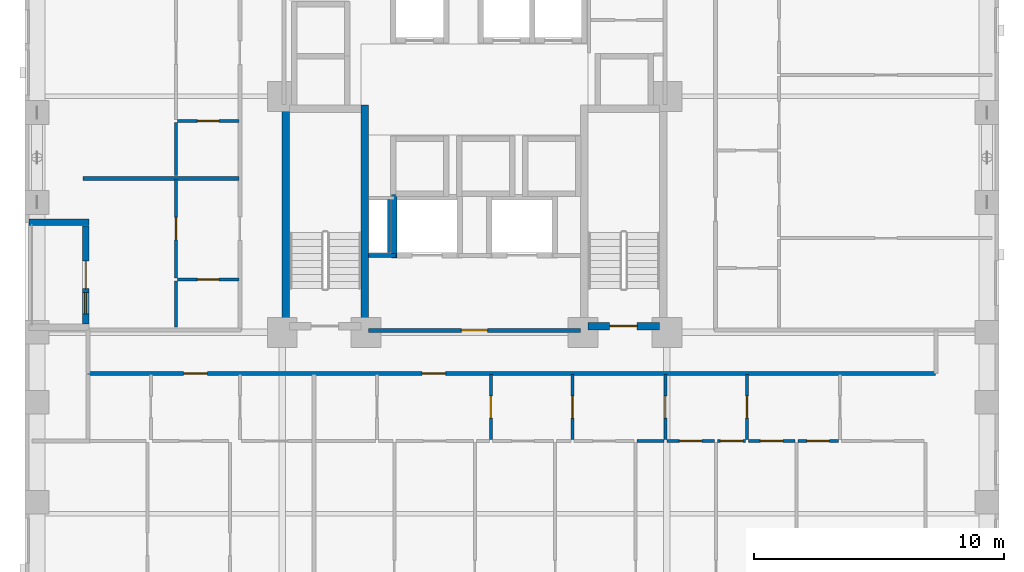
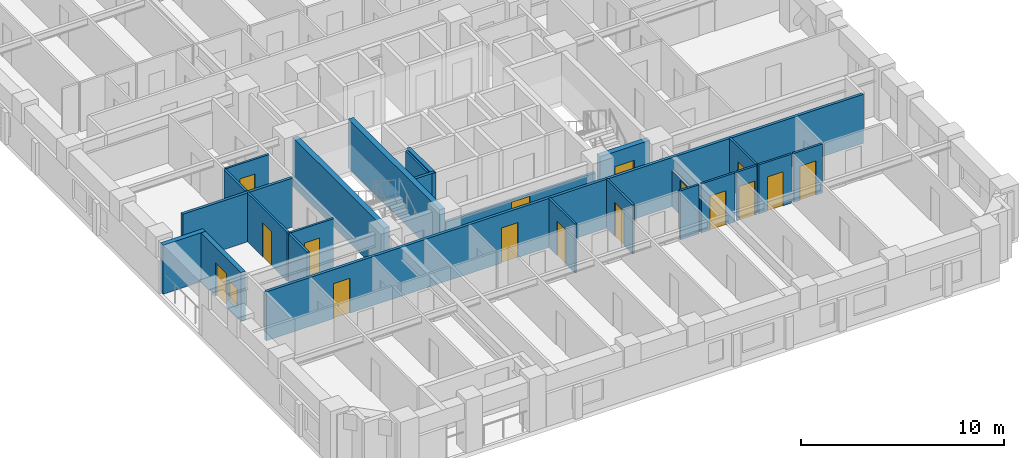
# One storey, part 4 of 14: 25 walls, 16 doors, 1 window, 17 openings.
"""IFC4 building model written with IfcOpenShell, lengths in metres."""

from ifc_helpers import new_model, si_unit, derived_unit, direction, frame, frame_2d, origin, place, context, subcontext, project, spatial, rectangle, extrude, material, layer, layer_set, type_object, element, fill, save


model = new_model("IFC4")

# Units and contexts
model_context = context("Model", 3, precision=1e-05, world=origin(), true_north=direction((0.0, 1.0)))
body_context = subcontext(model_context, "Body", "Model", "MODEL_VIEW")
ifc_project = project(units=[si_unit("LENGTHUNIT", "METRE"), si_unit("AREAUNIT", "SQUARE_METRE"), si_unit("VOLUMEUNIT", "CUBIC_METRE"), si_unit("PLANEANGLEUNIT", "RADIAN"), si_unit("MASSUNIT", "GRAM", prefix="KILO"), derived_unit("THERMALTRANSMITTANCEUNIT", [(si_unit("MASSUNIT", "GRAM", prefix="KILO"), 1), (si_unit("TIMEUNIT", "SECOND"), -3), (si_unit("THERMODYNAMICTEMPERATUREUNIT", "KELVIN"), -1)])], contexts=[model_context])

# Site, building, storey
site_placement = place(None, origin())
site = spatial("IfcSite", under=ifc_project, at=site_placement, CompositionType="ELEMENT")
building_placement = place(site_placement, origin())
building = spatial("IfcBuilding", under=site, at=building_placement, Name="Korrvale Station Residences", CompositionType="ELEMENT")
storey_placement = place(building_placement, frame((0.0, 0.0, 41.800048828125)))
storey = spatial("IfcBuildingStorey", under=building, at=storey_placement, Name="L10", CompositionType="ELEMENT", Elevation=41.800048828125)

# Walls
ifc_material_1 = material(Name="Concrete C70/85", Category="concrete")
ifc_layer_1 = layer(ifc_material_1, 0.300048828125, Name="Concrete C70/85")
ifc_layer_set_1 = layer_set([ifc_layer_1], Name="Concrete C70/85")
wall_type_1 = type_object("IfcWallType", Name="WAL-CORE-300-C70", PredefinedType="SHEAR", material=ifc_layer_set_1)
for number, where, z_axis, x_axis, name in (
    (1, (17.949951171875, 15.10009765625, 0.0), (0.0, 0.0, 1.0), (0.0, 1.0, 0.0), "L10 ST-1 Core Shear Wall West"),
    (2, (21.10009765625, 15.10009765625, 0.0), (0.0, 0.0, 1.0), (0.0, 1.0, 0.0), "L10 ST-1 Core Shear Wall East"),
):
    element("IfcWall", number, at=place(storey_placement, frame(where, z_axis=z_axis, x_axis=x_axis)), inside=storey, type_object=wall_type_1, Name=name, PredefinedType="SHEAR", context=body_context, shape_type="SweptSolid", body=[
        extrude(rectangle(XDim=9.0, YDim=0.300048828125, at=frame_2d((4.5, 0.0))), origin(), (0.0, 0.0, 1.0), 2.93994140625),
    ])

# Wall, opening, door
wall_1_placement = place(storey_placement, frame((30.050048828125, 15.25, 0.0), z_axis=(0.0, 0.0, 1.0), x_axis=(1.0, 0.0, 0.0)))
wall_1 = element("IfcWall", 3, at=wall_1_placement, inside=storey, type_object=wall_type_1, Name="L10 ST-2 Core Shear Wall South", PredefinedType="SHEAR", context=body_context, shape_type="SweptSolid", body=[
    extrude(rectangle(XDim=2.849853515625, YDim=0.300048828125, at=frame_2d((1.4248046875, 0.0))), origin(), (0.0, 0.0, 1.0), 2.93994140625),
])
opening_1_placement = place(wall_1_placement, frame((0.860107421875, 0.0, 0.0)))
opening_1 = element("IfcOpeningElement", 4, at=opening_1_placement, cuts=wall_1, Name="Opening SD-1100", PredefinedType="OPENING", context=body_context, shape_type="SweptSolid", body=[
    extrude(rectangle(XDim=1.10009765625, YDim=2.050048828125, at=frame_2d((0.550048828125, 1.02490234375))), frame((0.0, 0.16015625, 0.0), z_axis=(0.0, -1.0, 0.0), x_axis=(1.0, 0.0, 0.0)), (0.0, 0.0, 1.0), 0.320068359375),
])
ifc_material_2 = material(Name="Hollow-metal fire-rated stair door with closer", Category="steel")
door_type_1 = type_object("IfcDoorType", Name="DR-STAIR-1100", OperationType="NOTDEFINED", PredefinedType="DOOR", material=ifc_material_2)
door_1_placement = place(opening_1_placement, origin())
door_1 = element("IfcDoor", 5, at=door_1_placement, inside=storey, type_object=door_type_1, Name="L10 ST-2 Exit Stair Door", OperationType="SINGLE_SWING_RIGHT", OverallHeight=2.050048828125, OverallWidth=1.10009765625, PredefinedType="DOOR", context=body_context, shape_type="SweptSolid", body=[
    extrude(rectangle(XDim=1.10009765625, YDim=2.050048828125, at=frame_2d((0.550048828125, 1.02490234375))), frame((0.0, 0.02490234375, 0.0), z_axis=(0.0, -1.0, 0.0), x_axis=(1.0, 0.0, 0.0)), (0.0, 0.0, 1.0), 0.050048828125),
])
fill(opening_1, door_1)

# Wall, openings, door, window
ifc_material_3 = material(Name="Precast concrete C45/55", Category="concrete")
ifc_layer_2 = layer(ifc_material_3, 0.260009765625, Name="Precast concrete C45/55")
ifc_layer_set_2 = layer_set([ifc_layer_2], Name="Precast concrete C45/55")
wall_type_2 = type_object("IfcWallType", Name="WAL-EXT-LOG260", PredefinedType="SOLIDWALL", material=ifc_layer_set_2)
wall_2_placement = place(storey_placement, frame((9.929931640625, 15.333984375, 0.0), z_axis=(0.0, 0.0, 1.0), x_axis=(0.0, 1.0, 0.0)))
wall_2 = element("IfcWall", 6, at=wall_2_placement, inside=storey, type_object=wall_type_2, Name="L10 Recessed Loggia Wall BAL-L10-W1-B", PredefinedType="SOLIDWALL", context=body_context, shape_type="SweptSolid", body=[
    extrude(rectangle(XDim=3.93212890625, YDim=0.260009765625, at=frame_2d((1.966064453125, 0.0))), origin(), (0.0, 0.0, 1.0), 2.93994140625),
])
opening_2_placement = place(wall_2_placement, frame((1.416015625, 0.0, 0.0)))
opening_2 = element("IfcOpeningElement", 7, at=opening_2_placement, cuts=wall_2, Name="Opening BD-01", PredefinedType="OPENING", context=body_context, shape_type="SweptSolid", body=[
    extrude(rectangle(XDim=1.10009765625, YDim=2.0, at=frame_2d((0.550048828125, 1.0))), frame((0.0, 0.14013671875, 0.0), z_axis=(0.0, -1.0, 0.0), x_axis=(1.0, 0.0, 0.0)), (0.0, 0.0, 1.0), 0.280029296875),
])
opening_3_placement = place(wall_2_placement, frame((0.406005859375, 0.0, 0.550048828125)))
opening_3 = element("IfcOpeningElement", 8, at=opening_3_placement, cuts=wall_2, Name="Opening W-11", PredefinedType="OPENING", context=body_context, shape_type="SweptSolid", body=[
    extrude(rectangle(XDim=0.85009765625, YDim=1.199951171875, at=frame_2d((0.425048828125, 0.60009765625))), frame((0.0, 0.14013671875, 0.0), z_axis=(0.0, -1.0, 0.0), x_axis=(1.0, 0.0, 0.0)), (0.0, 0.0, 1.0), 0.280029296875),
])
ifc_material_4 = material(Name="Exterior thermally broken aluminium glazed balcony door", Category="aluminium")
door_type_2 = type_object("IfcDoorType", Name="DR-EXT-BAL", OperationType="NOTDEFINED", PredefinedType="DOOR", material=ifc_material_4)
door_2_placement = place(opening_2_placement, origin())
door_2 = element("IfcDoor", 9, at=door_2_placement, inside=storey, type_object=door_type_2, Name="L10 Loggia Balcony Door BAL-L10-W1", OperationType="SINGLE_SWING_RIGHT", OverallHeight=2.0, OverallWidth=1.10009765625, PredefinedType="DOOR", context=body_context, shape_type="SweptSolid", body=[
    extrude(rectangle(XDim=1.10009765625, YDim=2.0, at=frame_2d((0.550048828125, 1.0))), frame((0.0, 0.02490234375, 0.0), z_axis=(0.0, -1.0, 0.0), x_axis=(1.0, 0.0, 0.0)), (0.0, 0.0, 1.0), 0.050048828125),
])
fill(opening_2, door_2)
ifc_material_5 = material(Name="Thermally broken aluminium frame with triple low-e glazing", Category="aluminium")
window_type = type_object("IfcWindowType", Name="WIN-W11", PartitioningType="SINGLE_PANEL", PredefinedType="WINDOW", material=ifc_material_5)
window_placement = place(opening_3_placement, origin())
window = element("IfcWindow", 10, at=window_placement, inside=storey, type_object=window_type, Name="L10 Punched Window 25", OverallHeight=1.199951171875, OverallWidth=0.85009765625, PartitioningType="SINGLE_PANEL", PredefinedType="WINDOW", context=body_context, shape_type="SweptSolid", body=[
    extrude(rectangle(XDim=0.85009765625, YDim=1.199951171875, at=frame_2d((0.425048828125, 0.60009765625))), frame((0.0, 0.030029296875, 0.0), z_axis=(0.0, -1.0, 0.0), x_axis=(1.0, 0.0, 0.0)), (0.0, 0.0, 1.0), 0.06005859375),
])
fill(opening_3, window)

# Walls
wall_3_placement = place(storey_placement, frame((10.06005859375, 19.39990234375, 0.0), z_axis=(0.0, 0.0, 1.0), x_axis=(-1.0, 0.0, 0.0)))
element("IfcWall", 11, at=wall_3_placement, inside=storey, type_object=wall_type_2, Name="L10 Recessed Loggia Wall BAL-L10-W1-R", PredefinedType="SOLIDWALL", context=body_context, shape_type="SweptSolid", body=[
    extrude(rectangle(XDim=2.400146484375, YDim=0.260009765625, at=frame_2d((1.2001953125, 0.0))), origin(), (0.0, 0.0, 1.0), 2.93994140625),
])
ifc_material_6 = material(Name="Acoustic steel-stud gypsum board partition", Category="steel")
ifc_layer_3 = layer(ifc_material_6, 0.1201171875, Name="Acoustic steel-stud gypsum board partition")
ifc_layer_set_3 = layer_set([ifc_layer_3], Name="Acoustic steel-stud gypsum board partition")
wall_type_3 = type_object("IfcWallType", Name="WAL-PART-125", PredefinedType="PARTITIONING", material=ifc_layer_set_3)
wall_4_placement = place(storey_placement, frame((22.080078125, 18.199951171875, 0.0), z_axis=(0.0, 0.0, 1.0), x_axis=(0.0, 1.0, 0.0)))
element("IfcWall", 12, at=wall_4_placement, inside=storey, type_object=wall_type_3, Name="L10 Core Partition CW-RSWT", PredefinedType="PARTITIONING", context=body_context, shape_type="SweptSolid", body=[
    extrude(rectangle(XDim=2.1201171875, YDim=0.1201171875, at=frame_2d((1.06005859375, 0.0))), origin(), (0.0, 0.0, 1.0), 2.93994140625),
])

# Wall, opening, door
wall_5_placement = place(storey_placement, frame((26.14990234375, 10.7099609375, 0.0), z_axis=(0.0, 0.0, 1.0), x_axis=(0.0, 1.0, 0.0)))
wall_5 = element("IfcWall", 13, at=wall_5_placement, inside=storey, type_object=wall_type_3, Name="L10 Suite Partition U02-V12", PredefinedType="PARTITIONING", context=body_context, shape_type="SweptSolid", body=[
    extrude(rectangle(XDim=2.60009765625, YDim=0.1201171875, at=frame_2d((1.300048828125, 0.0))), origin(), (0.0, 0.0, 1.0), 2.93994140625),
])
opening_4_placement = place(wall_5_placement, frame((0.85009765625, 0.0, 0.0)))
opening_4 = element("IfcOpeningElement", 14, at=opening_4_placement, cuts=wall_5, Name="Opening DI-900", PredefinedType="OPENING", context=body_context, shape_type="SweptSolid", body=[
    extrude(rectangle(XDim=0.89990234375, YDim=2.050048828125, at=frame_2d((0.449951171875, 1.02490234375))), frame((0.0, 0.070068359375, 0.0), z_axis=(0.0, -1.0, 0.0), x_axis=(1.0, 0.0, 0.0)), (0.0, 0.0, 1.0), 0.14013671875),
])
ifc_material_7 = material(Name="Painted solid-core timber interior room door", Category="wood")
door_type_3 = type_object("IfcDoorType", Name="DR-INT-900", OperationType="NOTDEFINED", PredefinedType="DOOR", material=ifc_material_7)
door_3_placement = place(opening_4_placement, origin())
door_3 = element("IfcDoor", 15, at=door_3_placement, inside=storey, type_object=door_type_3, Name="L10 Studio Apartment L10-U02 Kitchen Door", OperationType="SINGLE_SWING_RIGHT", OverallHeight=2.050048828125, OverallWidth=0.89990234375, PredefinedType="DOOR", context=body_context, shape_type="SweptSolid", body=[
    extrude(rectangle(XDim=0.89990234375, YDim=2.050048828125, at=frame_2d((0.449951171875, 1.02490234375))), frame((0.0, 0.02490234375, 0.0), z_axis=(0.0, -1.0, 0.0), x_axis=(1.0, 0.0, 0.0)), (0.0, 0.0, 1.0), 0.050048828125),
])
fill(opening_4, door_3)

wall_6_placement = place(storey_placement, frame((29.419921875, 10.7099609375, 0.0), z_axis=(0.0, 0.0, 1.0), x_axis=(0.0, 1.0, 0.0)))
wall_6 = element("IfcWall", 16, at=wall_6_placement, inside=storey, type_object=wall_type_3, Name="L10 Suite Partition U02-V23", PredefinedType="PARTITIONING", context=body_context, shape_type="SweptSolid", body=[
    extrude(rectangle(XDim=2.60009765625, YDim=0.1201171875, at=frame_2d((1.300048828125, 0.0))), origin(), (0.0, 0.0, 1.0), 2.93994140625),
])
opening_5_placement = place(wall_6_placement, frame((0.85009765625, 0.0, 0.0)))
opening_5 = element("IfcOpeningElement", 17, at=opening_5_placement, cuts=wall_6, Name="Opening DI-900", PredefinedType="OPENING", context=body_context, shape_type="SweptSolid", body=[
    extrude(rectangle(XDim=0.89990234375, YDim=2.050048828125, at=frame_2d((0.449951171875, 1.02490234375))), frame((0.0, 0.070068359375, 0.0), z_axis=(0.0, -1.0, 0.0), x_axis=(1.0, 0.0, 0.0)), (0.0, 0.0, 1.0), 0.14013671875),
])
door_4_placement = place(opening_5_placement, origin())
door_4 = element("IfcDoor", 18, at=door_4_placement, inside=storey, type_object=door_type_3, Name="L10 Studio Apartment L10-U02 Utility and Laundry Room Door", OperationType="SINGLE_SWING_RIGHT", OverallHeight=2.050048828125, OverallWidth=0.89990234375, PredefinedType="DOOR", context=body_context, shape_type="SweptSolid", body=[
    extrude(rectangle(XDim=0.89990234375, YDim=2.050048828125, at=frame_2d((0.449951171875, 1.02490234375))), frame((0.0, 0.02490234375, 0.0), z_axis=(0.0, -1.0, 0.0), x_axis=(1.0, 0.0, 0.0)), (0.0, 0.0, 1.0), 0.050048828125),
])
fill(opening_5, door_4)

wall_7_placement = place(storey_placement, frame((33.139892578125, 10.7099609375, 0.0), z_axis=(0.0, 0.0, 1.0), x_axis=(0.0, 1.0, 0.0)))
wall_7 = element("IfcWall", 19, at=wall_7_placement, inside=storey, type_object=wall_type_3, Name="L10 Suite Partition U02-V34", PredefinedType="PARTITIONING", context=body_context, shape_type="SweptSolid", body=[
    extrude(rectangle(XDim=2.60009765625, YDim=0.1201171875, at=frame_2d((1.300048828125, 0.0))), origin(), (0.0, 0.0, 1.0), 2.155029296875),
])
opening_6_placement = place(wall_7_placement, frame((0.85009765625, 0.0, 0.0)))
opening_6 = element("IfcOpeningElement", 20, at=opening_6_placement, cuts=wall_7, Name="Opening DI-900", PredefinedType="OPENING", context=body_context, shape_type="SweptSolid", body=[
    extrude(rectangle(XDim=0.89990234375, YDim=2.050048828125, at=frame_2d((0.449951171875, 1.02490234375))), frame((0.0, 0.070068359375, 0.0), z_axis=(0.0, -1.0, 0.0), x_axis=(1.0, 0.0, 0.0)), (0.0, 0.0, 1.0), 0.14013671875),
])
door_5_placement = place(opening_6_placement, origin())
door_5 = element("IfcDoor", 21, at=door_5_placement, inside=storey, type_object=door_type_3, Name="L10 Studio Apartment L10-U02 Storage Closet 2 Door", OperationType="SINGLE_SWING_RIGHT", OverallHeight=2.050048828125, OverallWidth=0.89990234375, PredefinedType="DOOR", context=body_context, shape_type="SweptSolid", body=[
    extrude(rectangle(XDim=0.89990234375, YDim=2.050048828125, at=frame_2d((0.449951171875, 1.02490234375))), frame((0.0, 0.02490234375, 0.0), z_axis=(0.0, -1.0, 0.0), x_axis=(1.0, 0.0, 0.0)), (0.0, 0.0, 1.0), 0.050048828125),
])
fill(opening_6, door_5)

# Wall
wall_8_placement = place(storey_placement, frame((32.010009765625, 10.64990234375, 0.0), z_axis=(0.0, 0.0, 1.0), x_axis=(1.0, 0.0, 0.0)))
element("IfcWall", 22, at=wall_8_placement, inside=storey, type_object=wall_type_3, Name="L10 Suite Partition U02-H311", PredefinedType="PARTITIONING", context=body_context, shape_type="SweptSolid", body=[
    extrude(rectangle(XDim=1.070068359375, YDim=0.1201171875, at=frame_2d((0.53515625, 0.0))), origin(), (0.0, 0.0, 1.0), 2.93994140625),
])

# Wall, opening, door
wall_9_placement = place(storey_placement, frame((36.409912109375, 10.7099609375, 0.0), z_axis=(0.0, 0.0, 1.0), x_axis=(0.0, 1.0, 0.0)))
wall_9 = element("IfcWall", 23, at=wall_9_placement, inside=storey, type_object=wall_type_3, Name="L10 Suite Partition U02-V45", PredefinedType="PARTITIONING", context=body_context, shape_type="SweptSolid", body=[
    extrude(rectangle(XDim=2.60009765625, YDim=0.1201171875, at=frame_2d((1.300048828125, 0.0))), origin(), (0.0, 0.0, 1.0), 2.93994140625),
])
opening_7_placement = place(wall_9_placement, frame((0.85009765625, 0.0, 0.0)))
opening_7 = element("IfcOpeningElement", 24, at=opening_7_placement, cuts=wall_9, Name="Opening DI-900", PredefinedType="OPENING", context=body_context, shape_type="SweptSolid", body=[
    extrude(rectangle(XDim=0.89990234375, YDim=2.050048828125, at=frame_2d((0.449951171875, 1.02490234375))), frame((0.0, 0.070068359375, 0.0), z_axis=(0.0, -1.0, 0.0), x_axis=(1.0, 0.0, 0.0)), (0.0, 0.0, 1.0), 0.14013671875),
])
door_6_placement = place(opening_7_placement, origin())
door_6 = element("IfcDoor", 25, at=door_6_placement, inside=storey, type_object=door_type_3, Name="L10 Studio Apartment L10-U02 Storage Closet 3 Door", OperationType="SINGLE_SWING_RIGHT", OverallHeight=2.050048828125, OverallWidth=0.89990234375, PredefinedType="DOOR", context=body_context, shape_type="SweptSolid", body=[
    extrude(rectangle(XDim=0.89990234375, YDim=2.050048828125, at=frame_2d((0.449951171875, 1.02490234375))), frame((0.0, 0.02490234375, 0.0), z_axis=(0.0, -1.0, 0.0), x_axis=(1.0, 0.0, 0.0)), (0.0, 0.0, 1.0), 0.050048828125),
])
fill(opening_7, door_6)

wall_10_placement = place(storey_placement, frame((33.199951171875, 10.64990234375, 0.0), z_axis=(0.0, 0.0, 1.0), x_axis=(1.0, 0.0, 0.0)))
wall_10 = element("IfcWall", 26, at=wall_10_placement, inside=storey, type_object=wall_type_3, Name="L10 Suite Partition U02-H411", PredefinedType="PARTITIONING", context=body_context, shape_type="SweptSolid", body=[
    extrude(rectangle(XDim=1.91015625, YDim=0.1201171875, at=frame_2d((0.955078125, 0.0))), origin(), (0.0, 0.0, 1.0), 2.93994140625),
])
opening_8_placement = place(wall_10_placement, frame((0.5048828125, 0.0, 0.0)))
opening_8 = element("IfcOpeningElement", 27, at=opening_8_placement, cuts=wall_10, Name="Opening DI-900", PredefinedType="OPENING", context=body_context, shape_type="SweptSolid", body=[
    extrude(rectangle(XDim=0.89990234375, YDim=2.050048828125, at=frame_2d((0.449951171875, 1.02490234375))), frame((0.0, 0.070068359375, 0.0), z_axis=(0.0, -1.0, 0.0), x_axis=(1.0, 0.0, 0.0)), (0.0, 0.0, 1.0), 0.14013671875),
])
door_7_placement = place(opening_8_placement, origin())
door_7 = element("IfcDoor", 28, at=door_7_placement, inside=storey, type_object=door_type_3, Name="L10 Studio Apartment L10-U02 Storage Closet 3 Door", OperationType="SINGLE_SWING_LEFT", OverallHeight=2.050048828125, OverallWidth=0.89990234375, PredefinedType="DOOR", context=body_context, shape_type="SweptSolid", body=[
    extrude(rectangle(XDim=0.89990234375, YDim=2.050048828125, at=frame_2d((0.449951171875, 1.02490234375))), frame((0.0, 0.02490234375, 0.0), z_axis=(0.0, -1.0, 0.0), x_axis=(1.0, 0.0, 0.0)), (0.0, 0.0, 1.0), 0.050048828125),
])
fill(opening_8, door_7)

wall_11_placement = place(storey_placement, frame((35.22998046875, 10.64990234375, 0.0), z_axis=(0.0, 0.0, 1.0), x_axis=(1.0, 0.0, 0.0)))
wall_11 = element("IfcWall", 29, at=wall_11_placement, inside=storey, type_object=wall_type_3, Name="L10 Suite Partition U02-H412", PredefinedType="PARTITIONING", context=body_context, shape_type="SweptSolid", body=[
    extrude(rectangle(XDim=1.1201171875, YDim=0.1201171875, at=frame_2d((0.56005859375, 0.0))), origin(), (0.0, 0.0, 1.0), 2.93994140625),
])
opening_9_placement = place(wall_11_placement, frame((0.110107421875, 0.0, 0.0)))
opening_9 = element("IfcOpeningElement", 30, at=opening_9_placement, cuts=wall_11, Name="Opening DI-900", PredefinedType="OPENING", context=body_context, shape_type="SweptSolid", body=[
    extrude(rectangle(XDim=0.89990234375, YDim=2.050048828125, at=frame_2d((0.449951171875, 1.02490234375))), frame((0.0, 0.070068359375, 0.0), z_axis=(0.0, -1.0, 0.0), x_axis=(1.0, 0.0, 0.0)), (0.0, 0.0, 1.0), 0.14013671875),
])
door_8_placement = place(opening_9_placement, origin())
door_8 = element("IfcDoor", 31, at=door_8_placement, inside=storey, type_object=door_type_3, Name="L10 Studio Apartment L10-U02 Storage Closet 3 Door", OperationType="SINGLE_SWING_RIGHT", OverallHeight=2.050048828125, OverallWidth=0.89990234375, PredefinedType="DOOR", context=body_context, shape_type="SweptSolid", body=[
    extrude(rectangle(XDim=0.89990234375, YDim=2.050048828125, at=frame_2d((0.449951171875, 1.02490234375))), frame((0.0, 0.02490234375, 0.0), z_axis=(0.0, -1.0, 0.0), x_axis=(1.0, 0.0, 0.0)), (0.0, 0.0, 1.0), 0.050048828125),
])
fill(opening_9, door_8)

wall_12_placement = place(storey_placement, frame((36.469970703125, 10.64990234375, 0.0), z_axis=(0.0, 0.0, 1.0), x_axis=(1.0, 0.0, 0.0)))
wall_12 = element("IfcWall", 32, at=wall_12_placement, inside=storey, type_object=wall_type_3, Name="L10 Suite Partition U02-H512", PredefinedType="PARTITIONING", context=body_context, shape_type="SweptSolid", body=[
    extrude(rectangle(XDim=1.860107421875, YDim=0.1201171875, at=frame_2d((0.93017578125, 0.0))), origin(), (0.0, 0.0, 1.0), 2.93994140625),
])
opening_10_placement = place(wall_12_placement, frame((0.47998046875, 0.0, 0.0)))
opening_10 = element("IfcOpeningElement", 33, at=opening_10_placement, cuts=wall_12, Name="Opening DI-900", PredefinedType="OPENING", context=body_context, shape_type="SweptSolid", body=[
    extrude(rectangle(XDim=0.89990234375, YDim=2.050048828125, at=frame_2d((0.449951171875, 1.02490234375))), frame((0.0, 0.070068359375, 0.0), z_axis=(0.0, -1.0, 0.0), x_axis=(1.0, 0.0, 0.0)), (0.0, 0.0, 1.0), 0.14013671875),
])
door_9_placement = place(opening_10_placement, origin())
door_9 = element("IfcDoor", 34, at=door_9_placement, inside=storey, type_object=door_type_3, Name="L10 Studio Apartment L10-U02 Storage Closet 4 Door", OperationType="SINGLE_SWING_RIGHT", OverallHeight=2.050048828125, OverallWidth=0.89990234375, PredefinedType="DOOR", context=body_context, shape_type="SweptSolid", body=[
    extrude(rectangle(XDim=0.89990234375, YDim=2.050048828125, at=frame_2d((0.449951171875, 1.02490234375))), frame((0.0, 0.02490234375, 0.0), z_axis=(0.0, -1.0, 0.0), x_axis=(1.0, 0.0, 0.0)), (0.0, 0.0, 1.0), 0.050048828125),
])
fill(opening_10, door_9)

wall_13_placement = place(storey_placement, frame((38.449951171875, 10.64990234375, 0.0), z_axis=(0.0, 0.0, 1.0), x_axis=(1.0, 0.0, 0.0)))
wall_13 = element("IfcWall", 35, at=wall_13_placement, inside=storey, type_object=wall_type_3, Name="L10 Suite Partition U02-H513", PredefinedType="PARTITIONING", context=body_context, shape_type="SweptSolid", body=[
    extrude(rectangle(XDim=1.6201171875, YDim=0.1201171875, at=frame_2d((0.81005859375, 0.0))), origin(), (0.0, 0.0, 1.0), 2.93994140625),
])
opening_11_placement = place(wall_13_placement, frame((0.360107421875, 0.0, 0.0)))
opening_11 = element("IfcOpeningElement", 36, at=opening_11_placement, cuts=wall_13, Name="Opening DI-900", PredefinedType="OPENING", context=body_context, shape_type="SweptSolid", body=[
    extrude(rectangle(XDim=0.89990234375, YDim=2.050048828125, at=frame_2d((0.449951171875, 1.02490234375))), frame((0.0, 0.070068359375, 0.0), z_axis=(0.0, -1.0, 0.0), x_axis=(1.0, 0.0, 0.0)), (0.0, 0.0, 1.0), 0.14013671875),
])
door_10_placement = place(opening_11_placement, origin())
door_10 = element("IfcDoor", 37, at=door_10_placement, inside=storey, type_object=door_type_3, Name="L10 Studio Apartment L10-U02 Storage Closet 4 Door", OperationType="SINGLE_SWING_LEFT", OverallHeight=2.050048828125, OverallWidth=0.89990234375, PredefinedType="DOOR", context=body_context, shape_type="SweptSolid", body=[
    extrude(rectangle(XDim=0.89990234375, YDim=2.050048828125, at=frame_2d((0.449951171875, 1.02490234375))), frame((0.0, 0.02490234375, 0.0), z_axis=(0.0, -1.0, 0.0), x_axis=(1.0, 0.0, 0.0)), (0.0, 0.0, 1.0), 0.050048828125),
])
fill(opening_11, door_10)

wall_14_placement = place(storey_placement, frame((13.610107421875, 17.1201171875, 0.0), z_axis=(0.0, 0.0, 1.0), x_axis=(1.0, 0.0, 0.0)))
wall_14 = element("IfcWall", 38, at=wall_14_placement, inside=storey, type_object=wall_type_3, Name="L10 Suite Partition U04-H01", PredefinedType="PARTITIONING", context=body_context, shape_type="SweptSolid", body=[
    extrude(rectangle(XDim=2.449951171875, YDim=0.1201171875, at=frame_2d((1.22509765625, 0.0))), origin(), (0.0, 0.0, 1.0), 2.93994140625),
])
opening_12_placement = place(wall_14_placement, frame((0.794921875, 0.0, 0.0)))
opening_12 = element("IfcOpeningElement", 39, at=opening_12_placement, cuts=wall_14, Name="Opening DB-860", PredefinedType="OPENING", context=body_context, shape_type="SweptSolid", body=[
    extrude(rectangle(XDim=0.860107421875, YDim=2.050048828125, at=frame_2d((0.43017578125, 1.02490234375))), frame((0.0, 0.070068359375, 0.0), z_axis=(0.0, -1.0, 0.0), x_axis=(1.0, 0.0, 0.0)), (0.0, 0.0, 1.0), 0.14013671875),
])
ifc_material_8 = material(Name="Moisture-resistant solid-core bathroom door", Category="timber")
door_type_4 = type_object("IfcDoorType", Name="DR-BATH-860", OperationType="NOTDEFINED", PredefinedType="DOOR", material=ifc_material_8)
door_11_placement = place(opening_12_placement, origin())
door_11 = element("IfcDoor", 40, at=door_11_placement, inside=storey, type_object=door_type_4, Name="L10 Studio Apartment L10-U04 Bathroom Door", OperationType="SINGLE_SWING_LEFT", OverallHeight=2.050048828125, OverallWidth=0.860107421875, PredefinedType="DOOR", context=body_context, shape_type="SweptSolid", body=[
    extrude(rectangle(XDim=0.860107421875, YDim=2.050048828125, at=frame_2d((0.43017578125, 1.02490234375))), frame((0.0, 0.02490234375, 0.0), z_axis=(0.0, -1.0, 0.0), x_axis=(1.0, 0.0, 0.0)), (0.0, 0.0, 1.0), 0.050048828125),
])
fill(opening_12, door_11)

# Wall
wall_15_placement = place(storey_placement, frame((13.550048828125, 15.2099609375, 0.0), z_axis=(0.0, 0.0, 1.0), x_axis=(0.0, 1.0, 0.0)))
element("IfcWall", 41, at=wall_15_placement, inside=storey, type_object=wall_type_3, Name="L10 Suite Partition U04-V02", PredefinedType="PARTITIONING", context=body_context, shape_type="SweptSolid", body=[
    extrude(rectangle(XDim=1.85009765625, YDim=0.1201171875, at=frame_2d((0.925048828125, 0.0))), origin(), (0.0, 0.0, 1.0), 2.93994140625),
])

# Wall, opening, door
wall_16_placement = place(storey_placement, frame((13.550048828125, 17.179931640625, 0.0), z_axis=(0.0, 0.0, 1.0), x_axis=(0.0, 1.0, 0.0)))
wall_16 = element("IfcWall", 42, at=wall_16_placement, inside=storey, type_object=wall_type_3, Name="L10 Suite Partition U04-V12", PredefinedType="PARTITIONING", context=body_context, shape_type="SweptSolid", body=[
    extrude(rectangle(XDim=3.946044921875, YDim=0.1201171875, at=frame_2d((1.97314453125, 0.0))), origin(), (0.0, 0.0, 1.0), 2.93994140625),
])
opening_13_placement = place(wall_16_placement, frame((1.52294921875, 0.0, 0.0)))
opening_13 = element("IfcOpeningElement", 43, at=opening_13_placement, cuts=wall_16, Name="Opening DI-900", PredefinedType="OPENING", context=body_context, shape_type="SweptSolid", body=[
    extrude(rectangle(XDim=0.89990234375, YDim=2.050048828125, at=frame_2d((0.449951171875, 1.02490234375))), frame((0.0, 0.070068359375, 0.0), z_axis=(0.0, -1.0, 0.0), x_axis=(1.0, 0.0, 0.0)), (0.0, 0.0, 1.0), 0.14013671875),
])
door_12_placement = place(opening_13_placement, origin())
door_12 = element("IfcDoor", 44, at=door_12_placement, inside=storey, type_object=door_type_3, Name="L10 Studio Apartment L10-U04 Kitchen Door", OperationType="SINGLE_SWING_RIGHT", OverallHeight=2.050048828125, OverallWidth=0.89990234375, PredefinedType="DOOR", context=body_context, shape_type="SweptSolid", body=[
    extrude(rectangle(XDim=0.89990234375, YDim=2.050048828125, at=frame_2d((0.449951171875, 1.02490234375))), frame((0.0, 0.02490234375, 0.0), z_axis=(0.0, -1.0, 0.0), x_axis=(1.0, 0.0, 0.0)), (0.0, 0.0, 1.0), 0.050048828125),
])
fill(opening_13, door_12)

wall_17_placement = place(storey_placement, frame((13.610107421875, 23.467041015625, 0.0), z_axis=(0.0, 0.0, 1.0), x_axis=(1.0, 0.0, 0.0)))
wall_17 = element("IfcWall", 45, at=wall_17_placement, inside=storey, type_object=wall_type_3, Name="L10 Suite Partition U05-H01", PredefinedType="PARTITIONING", context=body_context, shape_type="SweptSolid", body=[
    extrude(rectangle(XDim=2.449951171875, YDim=0.1201171875, at=frame_2d((1.22509765625, 0.0))), origin(), (0.0, 0.0, 1.0), 2.93994140625),
])
opening_14_placement = place(wall_17_placement, frame((0.794921875, 0.0, 0.0)))
opening_14 = element("IfcOpeningElement", 46, at=opening_14_placement, cuts=wall_17, Name="Opening DB-860", PredefinedType="OPENING", context=body_context, shape_type="SweptSolid", body=[
    extrude(rectangle(XDim=0.860107421875, YDim=2.050048828125, at=frame_2d((0.43017578125, 1.02490234375))), frame((0.0, 0.070068359375, 0.0), z_axis=(0.0, -1.0, 0.0), x_axis=(1.0, 0.0, 0.0)), (0.0, 0.0, 1.0), 0.14013671875),
])
door_13_placement = place(opening_14_placement, origin())
door_13 = element("IfcDoor", 47, at=door_13_placement, inside=storey, type_object=door_type_4, Name="L10 Studio Apartment L10-U05 Bathroom Door", OperationType="SINGLE_SWING_LEFT", OverallHeight=2.050048828125, OverallWidth=0.860107421875, PredefinedType="DOOR", context=body_context, shape_type="SweptSolid", body=[
    extrude(rectangle(XDim=0.860107421875, YDim=2.050048828125, at=frame_2d((0.43017578125, 1.02490234375))), frame((0.0, 0.02490234375, 0.0), z_axis=(0.0, -1.0, 0.0), x_axis=(1.0, 0.0, 0.0)), (0.0, 0.0, 1.0), 0.050048828125),
])
fill(opening_14, door_13)

# Wall
wall_18_placement = place(storey_placement, frame((13.550048828125, 21.285888671875, 0.0), z_axis=(0.0, 0.0, 1.0), x_axis=(0.0, 1.0, 0.0)))
element("IfcWall", 48, at=wall_18_placement, inside=storey, type_object=wall_type_3, Name="L10 Suite Partition U05-V02", PredefinedType="PARTITIONING", context=body_context, shape_type="SweptSolid", body=[
    extrude(rectangle(XDim=2.12109375, YDim=0.1201171875, at=frame_2d((1.060546875, 0.0))), origin(), (0.0, 0.0, 1.0), 2.93994140625),
])

# Wall, opening, door
ifc_material_9 = material(Name="Fire-rated twin-stud gypsum and mineral wool shaftwall assembly", Category="gypsum")
ifc_layer_4 = layer(ifc_material_9, 0.159912109375, Name="Fire-rated twin-stud gypsum and mineral wool shaftwall assembly")
ifc_layer_set_4 = layer_set([ifc_layer_4], Name="Fire-rated twin-stud gypsum and mineral wool shaftwall assembly")
wall_type_4 = type_object("IfcWallType", Name="WAL-PART-200", PredefinedType="PARTITIONING", material=ifc_layer_set_4)
wall_19_placement = place(storey_placement, frame((21.25, 15.080078125, 0.0), z_axis=(0.0, 0.0, 1.0), x_axis=(1.0, 0.0, 0.0)))
wall_19 = element("IfcWall", 49, at=wall_19_placement, inside=storey, type_object=wall_type_4, Name="L10 Core Partition CW-FFL-S", PredefinedType="PARTITIONING", context=body_context, shape_type="SweptSolid", body=[
    extrude(rectangle(XDim=8.5, YDim=0.159912109375, at=frame_2d((4.25, 0.0))), origin(), (0.0, 0.0, 1.0), 2.155029296875),
])
opening_15_placement = place(wall_19_placement, frame((3.72509765625, 0.0, 0.0)))
opening_15 = element("IfcOpeningElement", 50, at=opening_15_placement, cuts=wall_19, Name="Opening FD-1050", PredefinedType="OPENING", context=body_context, shape_type="SweptSolid", body=[
    extrude(rectangle(XDim=1.050048828125, YDim=2.050048828125, at=frame_2d((0.52490234375, 1.02490234375))), frame((0.0, 0.08984375, 0.0), z_axis=(0.0, -1.0, 0.0), x_axis=(1.0, 0.0, 0.0)), (0.0, 0.0, 1.0), 0.179931640625),
])
ifc_material_10 = material(Name="Fire-rated mineral-core timber lobby door", Category="wood")
door_type_5 = type_object("IfcDoorType", Name="DR-CORE-1050", OperationType="NOTDEFINED", PredefinedType="DOOR", material=ifc_material_10)
door_14_placement = place(opening_15_placement, origin())
door_14 = element("IfcDoor", 51, at=door_14_placement, inside=storey, type_object=door_type_5, Name="L10 Firefighting Lobby Entry Door", OperationType="SINGLE_SWING_RIGHT", OverallHeight=2.050048828125, OverallWidth=1.050048828125, PredefinedType="DOOR", context=body_context, shape_type="SweptSolid", body=[
    extrude(rectangle(XDim=1.050048828125, YDim=2.050048828125, at=frame_2d((0.52490234375, 1.02490234375))), frame((0.0, 0.02490234375, 0.0), z_axis=(0.0, -1.0, 0.0), x_axis=(1.0, 0.0, 0.0)), (0.0, 0.0, 1.0), 0.050048828125),
])
fill(opening_15, door_14)

# Walls
wall_20_placement = place(storey_placement, frame((21.25, 18.080078125, 0.0), z_axis=(0.0, 0.0, 1.0), x_axis=(1.0, 0.0, 0.0)))
element("IfcWall", 52, at=wall_20_placement, inside=storey, type_object=wall_type_4, Name="L10 Core Partition CW-FFL-N1", PredefinedType="PARTITIONING", context=body_context, shape_type="SweptSolid", body=[
    extrude(rectangle(XDim=1.10009765625, YDim=0.159912109375, at=frame_2d((0.550048828125, 0.0))), origin(), (0.0, 0.0, 1.0), 2.93994140625),
])
wall_21_placement = place(storey_placement, frame((9.820068359375, 21.166015625, 0.0), z_axis=(0.0, 0.0, 1.0), x_axis=(1.0, 0.0, 0.0)))
element("IfcWall", 53, at=wall_21_placement, inside=storey, type_object=wall_type_4, Name="L10 Demising Wall U04-N", PredefinedType="PARTITIONING", context=body_context, shape_type="SweptSolid", body=[
    extrude(rectangle(XDim=6.239990234375, YDim=0.159912109375, at=frame_2d((3.1201171875, 0.0))), origin(), (0.0, 0.0, 1.0), 2.93994140625),
])

# Wall, openings, doors
wall_22_placement = place(storey_placement, frame((10.050048828125, 13.35009765625, 0.0), z_axis=(0.0, 0.0, 1.0), x_axis=(1.0, 0.0, 0.0)))
wall_22 = element("IfcWall", 54, at=wall_22_placement, inside=storey, type_object=wall_type_4, Name="L10 Rated Corridor Wall S", PredefinedType="PARTITIONING", context=body_context, shape_type="SweptSolid", body=[
    extrude(rectangle(XDim=33.89990234375, YDim=0.159912109375, at=frame_2d((16.949951171875, 0.0))), origin(), (0.0, 0.0, 1.0), 2.93994140625),
])
opening_16_placement = place(wall_22_placement, frame((3.800048828125, 0.0, 0.0)))
opening_16 = element("IfcOpeningElement", 55, at=opening_16_placement, cuts=wall_22, Name="Opening UD-950", PredefinedType="OPENING", context=body_context, shape_type="SweptSolid", body=[
    extrude(rectangle(XDim=0.949951171875, YDim=2.10009765625, at=frame_2d((0.47509765625, 1.050048828125))), frame((0.0, 0.08984375, 0.0), z_axis=(0.0, -1.0, 0.0), x_axis=(1.0, 0.0, 0.0)), (0.0, 0.0, 1.0), 0.179931640625),
])
opening_17_placement = place(wall_22_placement, frame((13.344970703125, 0.0, 0.0)))
opening_17 = element("IfcOpeningElement", 56, at=opening_17_placement, cuts=wall_22, Name="Opening UD-950", PredefinedType="OPENING", context=body_context, shape_type="SweptSolid", body=[
    extrude(rectangle(XDim=0.949951171875, YDim=2.10009765625, at=frame_2d((0.47509765625, 1.050048828125))), frame((0.0, 0.08984375, 0.0), z_axis=(0.0, -1.0, 0.0), x_axis=(1.0, 0.0, 0.0)), (0.0, 0.0, 1.0), 0.179931640625),
])
ifc_material_11 = material(Name="Solid-core acoustic oak apartment entrance door", Category="timber")
door_type_6 = type_object("IfcDoorType", Name="DR-UNIT-950", OperationType="NOTDEFINED", PredefinedType="DOOR", material=ifc_material_11)
door_15_placement = place(opening_16_placement, origin())
door_15 = element("IfcDoor", 57, at=door_15_placement, inside=storey, type_object=door_type_6, Name="L10 Apartment L10-U01 Entrance Door", OperationType="SINGLE_SWING_RIGHT", OverallHeight=2.10009765625, OverallWidth=0.949951171875, PredefinedType="DOOR", context=body_context, shape_type="SweptSolid", body=[
    extrude(rectangle(XDim=0.949951171875, YDim=2.10009765625, at=frame_2d((0.47509765625, 1.050048828125))), frame((0.0, 0.02490234375, 0.0), z_axis=(0.0, -1.0, 0.0), x_axis=(1.0, 0.0, 0.0)), (0.0, 0.0, 1.0), 0.050048828125),
])
fill(opening_16, door_15)
door_16_placement = place(opening_17_placement, origin())
door_16 = element("IfcDoor", 58, at=door_16_placement, inside=storey, type_object=door_type_6, Name="L10 Apartment L10-U02 Entrance Door", OperationType="SINGLE_SWING_LEFT", OverallHeight=2.10009765625, OverallWidth=0.949951171875, PredefinedType="DOOR", context=body_context, shape_type="SweptSolid", body=[
    extrude(rectangle(XDim=0.949951171875, YDim=2.10009765625, at=frame_2d((0.47509765625, 1.050048828125))), frame((0.0, 0.02490234375, 0.0), z_axis=(0.0, -1.0, 0.0), x_axis=(1.0, 0.0, 0.0)), (0.0, 0.0, 1.0), 0.050048828125),
])
fill(opening_17, door_16)

# Wall
ifc_layer_5 = layer(ifc_material_1, 0.219970703125, Name="Concrete C70/85")
ifc_layer_set_5 = layer_set([ifc_layer_5], Name="Concrete C70/85")
wall_type_5 = type_object("IfcWallType", Name="WAL-SHAFT-220-C70", PredefinedType="SHEAR", material=ifc_layer_set_5)
wall_23_placement = place(storey_placement, frame((22.2900390625, 17.97998046875, 0.0), z_axis=(0.0, 0.0, 1.0), x_axis=(0.0, 1.0, 0.0)))
element("IfcWall", 59, at=wall_23_placement, inside=storey, type_object=wall_type_5, Name="L10 Elevator FFL-1 Hoistway Wall West", PredefinedType="SHEAR", context=body_context, shape_type="SweptSolid", body=[
    extrude(rectangle(XDim=2.5400390625, YDim=0.219970703125, at=frame_2d((1.27001953125, 0.0))), origin(), (0.0, 0.0, 1.0), 2.93994140625),
])

save(model, "model.ifc")
